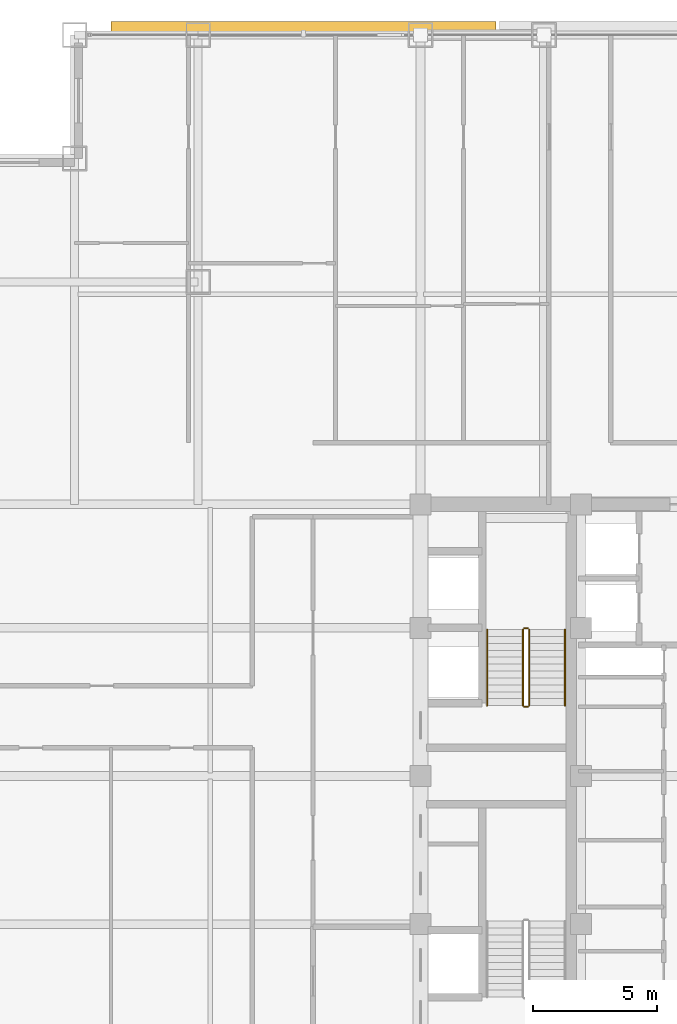
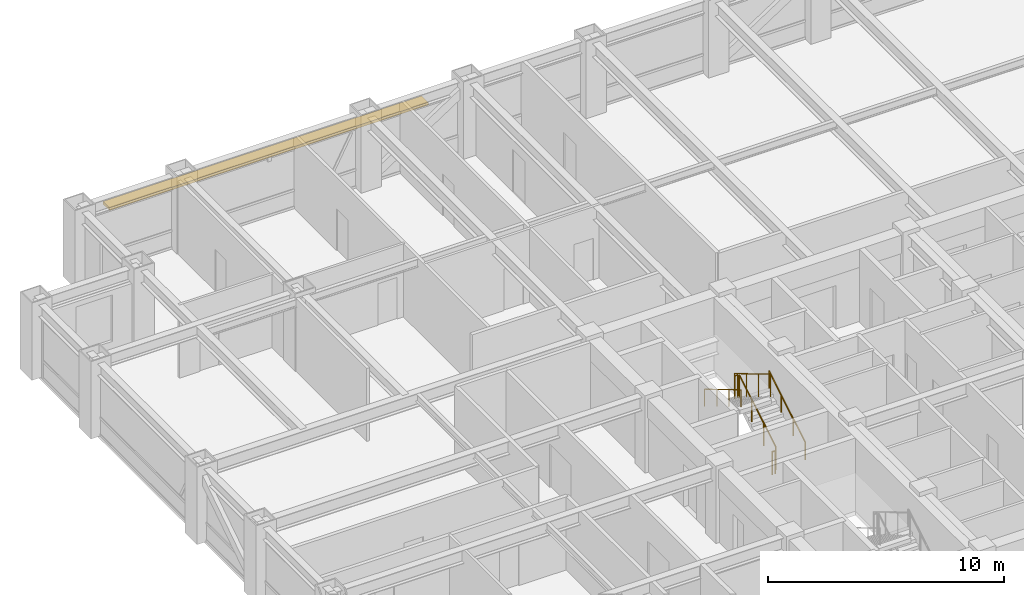
# One storey, part 28 of 29: 6 railings, 1 shading device.
"""IFC4 building model written with IfcOpenShell, lengths in metres."""

from ifc_helpers import new_model, si_unit, direction, frame, origin, origin_2d, place, context, subcontext, project, spatial, rectangle, circle, extrude, source, transform, mapped, material, layer, layer_set, type_object, element, save


model = new_model("IFC4")

# Units and contexts
model_context = context("Model", 3, precision=1e-05, world=origin(), true_north=direction((0.0, 1.0)))
body_context = subcontext(model_context, "Body", "Model", "MODEL_VIEW")
ifc_project = project(units=[si_unit("LENGTHUNIT", "METRE"), si_unit("AREAUNIT", "SQUARE_METRE"), si_unit("VOLUMEUNIT", "CUBIC_METRE"), si_unit("PLANEANGLEUNIT", "RADIAN"), si_unit("MASSUNIT", "GRAM", prefix="KILO")], contexts=[model_context])

# Site, building, storey
site_placement = place(None, origin())
site = spatial("IfcSite", under=ifc_project, at=site_placement, CompositionType="ELEMENT")
building_placement = place(site_placement, origin())
building = spatial("IfcBuilding", under=site, at=building_placement, Name="Khorayat Bourse Tower", CompositionType="ELEMENT")
storey_placement = place(building_placement, frame((0.0, 0.0, 243.10009765625)))
storey = spatial("IfcBuildingStorey", under=building, at=storey_placement, Name="L57", CompositionType="ELEMENT", Elevation=243.10009765625)

# Shading device
ifc_material_1 = material(Name="Precast concrete C45/55", Category="concrete")
ifc_layer = layer(ifc_material_1, 0.139892578125)
ifc_layer_set = layer_set([ifc_layer], Name="Precast concrete C45/55")
shading_device_type = type_object("IfcShadingDeviceType", Name="SHD-WAVE-TRAY-A", PredefinedType="USERDEFINED", material=ifc_layer_set)
shared_shape_1 = source(origin(), body_context, "Body", "SweptSolid", [
    extrude(rectangle(XDim=15.59326171875, YDim=0.555908203125, at=origin_2d()), origin(), (0.0, 0.0, 1.0), 0.139892578125),
])
shading_device_placement = place(storey_placement, frame((-15.7333984375, 30.258056640625, 3.02978515625), z_axis=(0.0, 0.0, 1.0), x_axis=(1.0, 0.0, 0.0)))
element("IfcShadingDevice", 1, at=shading_device_placement, inside=storey, type_object=shading_device_type, Name="L57 Sinusoidal Wave Sunshade Tray N-1", ObjectType="SUNSHADE", PredefinedType="USERDEFINED", context=body_context, shape_type="MappedRepresentation", body=[
    mapped(shared_shape_1, transform((0.0, 0.0, 0.0), scale=1.0)),
])

# Railings
ifc_material_2 = material(Name="Powder-coated steel balustrade", Category="steel")
railing_type_1 = type_object("IfcRailingType", Name="RLG-GUARD-1200", PredefinedType="GUARDRAIL", material=ifc_material_2)
shared_shape_2 = source(origin(), body_context, "Body", "SweptSolid", [
    extrude(circle(Radius=0.02392578125, at=origin_2d()), frame((0.0, 0.0, 1.17578125), z_axis=(-1.0, 0.0, 0.0), x_axis=(0.0, -1.0, 0.0)), (0.0, 0.0, 1.0), 0.150146484375),
    extrude(circle(Radius=0.02099609375, at=origin_2d()), origin(), (0.0, 0.0, 1.0), 1.15185546875),
    extrude(circle(Radius=0.02099609375, at=origin_2d()), frame((-0.150146484375, 0.0, 0.0)), (0.0, 0.0, 1.0), 1.15185546875),
])
for number, where, name in (
    (2, (-6.64990234375, 5.97998046875, 2.0), "L57 ST-2 stair guard 2"),
    (3, (-6.64990234375, 2.800048828125, 0.0), "L57 ST-2 stair guard 4"),
):
    element("IfcRailing", number, at=place(storey_placement, frame(where)), inside=storey, type_object=railing_type_1, Name=name, PredefinedType="GUARDRAIL", context=body_context, shape_type="MappedRepresentation", body=[
        mapped(shared_shape_2, transform((0.0, 0.0, 0.0), scale=1.0)),
    ])
shared_shape_3 = source(origin(), body_context, "Body", "SweptSolid", [
    extrude(circle(Radius=0.02392578125, at=origin_2d()), frame((0.0, 0.0, 1.17578125), z_axis=(0.0, 0.859260807169, 0.511537745687), x_axis=(-1.0, 0.0, 0.0)), (0.0, 0.0, 1.0), 3.584228515625),
    extrude(circle(Radius=0.02099609375, at=origin_2d()), origin(), (0.0, 0.0, 1.0), 1.15185546875),
    extrude(circle(Radius=0.02099609375, at=origin_2d()), frame((0.0, 1.026611328125, 0.611083984375)), (0.0, 0.0, 1.0), 1.15185546875),
    extrude(circle(Radius=0.02099609375, at=origin_2d()), frame((0.0, 2.05322265625, 1.222412109375)), (0.0, 0.0, 1.0), 1.15185546875),
    extrude(circle(Radius=0.02099609375, at=origin_2d()), frame((0.0, 3.079833984375, 1.83349609375)), (0.0, 0.0, 1.0), 1.15185546875),
])
railing_1_placement = place(storey_placement, frame((-6.60009765625, 2.85009765625, 0.16650390625)))
element("IfcRailing", 4, at=railing_1_placement, inside=storey, type_object=railing_type_1, Name="L57 ST-2 stair guard 1", PredefinedType="GUARDRAIL", context=body_context, shape_type="MappedRepresentation", body=[
    mapped(shared_shape_3, transform((0.0, 0.0, 0.0), scale=1.0)),
])
shared_shape_4 = source(origin(), body_context, "Body", "SweptSolid", [
    extrude(circle(Radius=0.02392578125, at=origin_2d()), frame((0.0, 0.0, 1.17578125), z_axis=(0.0, -0.859260807169, 0.511537745687), x_axis=(1.0, 0.0, 0.0)), (0.0, 0.0, 1.0), 3.584228515625),
    extrude(circle(Radius=0.02099609375, at=origin_2d()), origin(), (0.0, 0.0, 1.0), 1.15185546875),
    extrude(circle(Radius=0.02099609375, at=origin_2d()), frame((0.0, -1.026611328125, 0.611083984375)), (0.0, 0.0, 1.0), 1.15185546875),
    extrude(circle(Radius=0.02099609375, at=origin_2d()), frame((0.0, -2.05322265625, 1.222412109375)), (0.0, 0.0, 1.0), 1.15185546875),
    extrude(circle(Radius=0.02099609375, at=origin_2d()), frame((0.0, -3.079833984375, 1.83349609375)), (0.0, 0.0, 1.0), 1.15185546875),
])
railing_2_placement = place(storey_placement, frame((-6.85009765625, 5.929931640625, 2.16650390625)))
element("IfcRailing", 5, at=railing_2_placement, inside=storey, type_object=railing_type_1, Name="L57 ST-2 stair guard 3", PredefinedType="GUARDRAIL", context=body_context, shape_type="MappedRepresentation", body=[
    mapped(shared_shape_4, transform((0.0, 0.0, 0.0), scale=1.0)),
])
ifc_material_3 = material(Name="Brushed bronze stainless-steel handrail", Category="steel")
railing_type_2 = type_object("IfcRailingType", Name="RLG-HAND-900", PredefinedType="HANDRAIL", material=ifc_material_3)
shared_shape_5 = source(origin(), body_context, "Body", "SweptSolid", [
    extrude(circle(Radius=0.02392578125, at=origin_2d()), frame((0.0, 0.0, 0.8759765625), z_axis=(0.0, 0.859260807169, 0.511537745687), x_axis=(-1.0, 0.0, 0.0)), (0.0, 0.0, 1.0), 3.584228515625),
    extrude(circle(Radius=0.02099609375, at=origin_2d()), origin(), (0.0, 0.0, 1.0), 0.851806640625),
    extrude(circle(Radius=0.02099609375, at=origin_2d()), frame((0.0, 1.026611328125, 0.611083984375)), (0.0, 0.0, 1.0), 0.851806640625),
    extrude(circle(Radius=0.02099609375, at=origin_2d()), frame((0.0, 2.05322265625, 1.222412109375)), (0.0, 0.0, 1.0), 0.851806640625),
    extrude(circle(Radius=0.02099609375, at=origin_2d()), frame((0.0, 3.079833984375, 1.83349609375)), (0.0, 0.0, 1.0), 0.851806640625),
])
railing_3_placement = place(storey_placement, frame((-5.14990234375, 2.85009765625, 0.16650390625)))
element("IfcRailing", 6, at=railing_3_placement, inside=storey, type_object=railing_type_2, Name="L57 ST-2 stair handrail 1", PredefinedType="HANDRAIL", context=body_context, shape_type="MappedRepresentation", body=[
    mapped(shared_shape_5, transform((0.0, 0.0, 0.0), scale=1.0)),
])
shared_shape_6 = source(origin(), body_context, "Body", "SweptSolid", [
    extrude(circle(Radius=0.02392578125, at=origin_2d()), frame((0.0, 0.0, 0.8759765625), z_axis=(0.0, -0.859260807169, 0.511537745687), x_axis=(1.0, 0.0, 0.0)), (0.0, 0.0, 1.0), 3.584228515625),
    extrude(circle(Radius=0.02099609375, at=origin_2d()), origin(), (0.0, 0.0, 1.0), 0.851806640625),
    extrude(circle(Radius=0.02099609375, at=origin_2d()), frame((0.0, -1.026611328125, 0.611083984375)), (0.0, 0.0, 1.0), 0.851806640625),
    extrude(circle(Radius=0.02099609375, at=origin_2d()), frame((0.0, -2.05322265625, 1.222412109375)), (0.0, 0.0, 1.0), 0.851806640625),
    extrude(circle(Radius=0.02099609375, at=origin_2d()), frame((0.0, -3.079833984375, 1.83349609375)), (0.0, 0.0, 1.0), 0.851806640625),
])
railing_4_placement = place(storey_placement, frame((-8.300048828125, 5.929931640625, 2.16650390625)))
element("IfcRailing", 7, at=railing_4_placement, inside=storey, type_object=railing_type_2, Name="L57 ST-2 stair handrail 2", PredefinedType="HANDRAIL", context=body_context, shape_type="MappedRepresentation", body=[
    mapped(shared_shape_6, transform((0.0, 0.0, 0.0), scale=1.0)),
])

save(model, "model.ifc")
